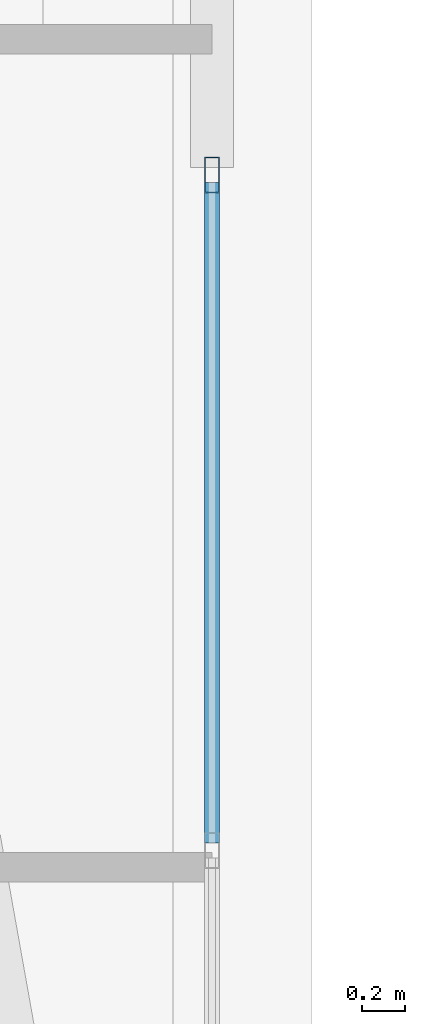
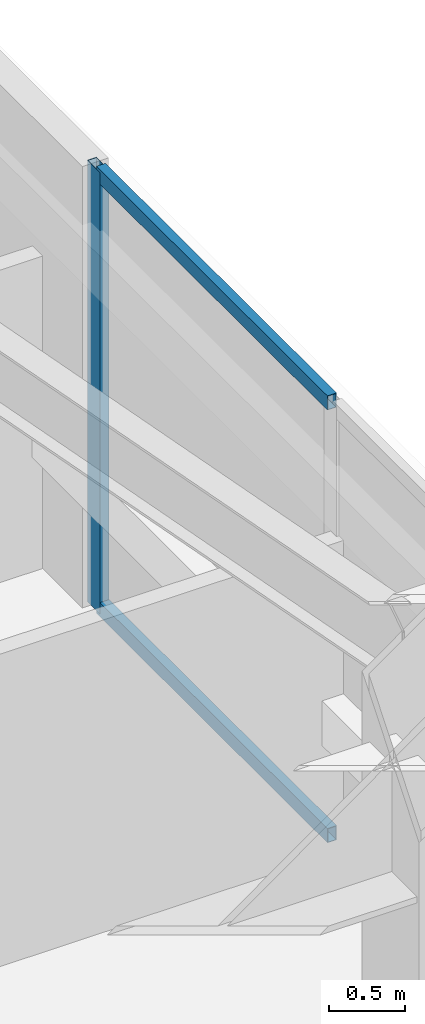
# One storey, part 12 of 40: 3 members, 1 element without a shape of its own.
"""IFC4 building model written with IfcOpenShell, lengths in metres."""

import ifcopenshell
import ifcopenshell.guid

model = None  # the IFC model being written
_history = None  # IfcOwnerHistory: only IFC2X3 demands one
_inside = {}  # id of a spatial element -> (the spatial element, [elements in it])
_under = {}  # id of a project, library or spatial element -> (it, [spatial elements below it])
_declared = {}  # id of a project -> (the project, [libraries it declares])
_typed = {}  # id of a type object -> (the type object, [elements of that type])
_made_of = {}  # id of a material, layer set ... -> (it, [elements and type objects made of it])


def new_model(schema):
    """Start an empty IFC model of exactly this schema.

    Asked for "IFC4X3", IfcOpenShell would pick the latest addendum, in which some entities
    have other attributes; the version numbers below select the first issue.
    IFC2X3 requires an IfcOwnerHistory on every rooted entity: one is made here for all.
    """
    global model, _history
    if schema == "IFC4X3":
        model = ifcopenshell.file(schema_version=(4, 3, 0, 0))
    else:
        model = ifcopenshell.file(schema=schema)
    _inside.clear()
    _under.clear()
    _declared.clear()
    _typed.clear()
    _made_of.clear()
    _history = None
    if model.schema == "IFC2X3":
        org = make("IfcOrganization", Name="unknown")
        user = make(
            "IfcPersonAndOrganization",
            ThePerson=make("IfcPerson", FamilyName="unknown"),
            TheOrganization=org,
        )
        app = make(
            "IfcApplication",
            ApplicationDeveloper=org,
            Version="unknown",
            ApplicationFullName="unknown",
            ApplicationIdentifier="unknown",
        )
        _history = make(
            "IfcOwnerHistory",
            OwningUser=user,
            OwningApplication=app,
            ChangeAction="ADDED",
            CreationDate=0,
        )
    return model


def make(cls, **values):
    """One entity of the class cls with the attributes given. An attribute that is None is left unset."""
    return model.create_entity(
        cls, **{name: value for name, value in values.items() if value is not None}
    )


def rooted(cls, **values):
    """An entity with a GlobalId (a new one), such as an element, a storey or a relation."""
    return make(cls, GlobalId=ifcopenshell.guid.new(), OwnerHistory=_history, **values)


def si_unit(unit_type, name, prefix=None):
    """IfcSIUnit, for example si_unit("LENGTHUNIT", "METRE", prefix="MILLI")."""
    return make("IfcSIUnit", UnitType=unit_type, Prefix=prefix, Name=name)


def assignment(units):
    """IfcUnitAssignment: the units of a project."""
    return None if units is None else make("IfcUnitAssignment", Units=units)


def point(xyz):
    """IfcCartesianPoint."""
    return None if xyz is None else make("IfcCartesianPoint", Coordinates=xyz)


def direction(xyz):
    """IfcDirection."""
    return None if xyz is None else make("IfcDirection", DirectionRatios=xyz)


def frame(location, z_axis=None, x_axis=None):
    """IfcAxis2Placement3D, a coordinate frame: its origin and axes. An axis left out is left unset."""
    return make(
        "IfcAxis2Placement3D",
        Location=point(location),
        Axis=direction(z_axis),
        RefDirection=direction(x_axis),
    )


def frame_2d(location, x_axis=None):
    """IfcAxis2Placement2D, a coordinate frame in the plane: its origin and x axis."""
    return make(
        "IfcAxis2Placement2D", Location=point(location), RefDirection=direction(x_axis)
    )


def origin():
    """The frame at (0, 0, 0) with its axes left unset."""
    return frame((0.0, 0.0, 0.0))


def origin_2d():
    """The frame at (0, 0) in the plane with its x axis left unset."""
    return frame_2d((0.0, 0.0))


def place(relative_to, where):
    """IfcLocalPlacement: puts the frame where relative to a parent placement (None: the world)."""
    return make(
        "IfcLocalPlacement", PlacementRelTo=relative_to, RelativePlacement=where
    )


def context(
    kind, dimensions, precision=None, world=None, true_north=None, identifier=None
):
    """IfcGeometricRepresentationContext, for example the 3D "Model" context."""
    return make(
        "IfcGeometricRepresentationContext",
        ContextIdentifier=identifier,
        ContextType=kind,
        CoordinateSpaceDimension=dimensions,
        Precision=precision,
        WorldCoordinateSystem=world,
        TrueNorth=true_north,
    )


def subcontext(parent, identifier, kind, view, scale=None):
    """IfcGeometricRepresentationSubContext, for example "Body" below "Model"."""
    return make(
        "IfcGeometricRepresentationSubContext",
        ContextIdentifier=identifier,
        ContextType=kind,
        ParentContext=parent,
        TargetScale=scale,
        TargetView=view,
    )


def project(units=None, contexts=None):
    """IfcProject with its units and contexts."""
    return rooted(
        "IfcProject",
        Name="project",
        RepresentationContexts=contexts,
        UnitsInContext=assignment(units),
    )


def spatial(cls, under=None, at=None, **own):
    """A site, building, storey or space (cls), placed at a placement, below another one or the project."""
    s = rooted(cls, ObjectPlacement=at, **own)
    if under is not None:
        _under.setdefault(under.id(), (under, []))[1].append(s)
    return s


def profile(cls, at=None, kind="AREA", **sizes):
    """A parametric profile (cls). Its sizes go by their IFC names, for example OverallWidth=200.0."""
    return make(cls, ProfileType=kind, Position=at, **sizes)


def hollow_rectangle(**sizes):
    """IfcRectangleHollowProfileDef."""
    return profile("IfcRectangleHollowProfileDef", **sizes)


def extrude(swept, where, along, depth):
    """IfcExtrudedAreaSolid: the profile swept, set in the frame where, extruded along a direction by depth."""
    return make(
        "IfcExtrudedAreaSolid",
        SweptArea=swept,
        Position=where,
        ExtrudedDirection=direction(along),
        Depth=depth,
    )


def shape(context_of_items, identifier, shape_type, items):
    """IfcShapeRepresentation: the items that make up one representation, for example the "Body"."""
    return make(
        "IfcShapeRepresentation",
        ContextOfItems=context_of_items,
        RepresentationIdentifier=identifier,
        RepresentationType=shape_type,
        Items=items,
    )


def material(Name=None, Category=None):
    """IfcMaterial."""
    return make("IfcMaterial", Name=Name, Category=Category)


def material_profile(
    of_material, cross_section, Name=None, Category=None, Priority=None
):
    """IfcMaterialProfile: a cross section and its material."""
    return make(
        "IfcMaterialProfile",
        Name=Name,
        Material=of_material,
        Profile=cross_section,
        Priority=Priority,
        Category=Category,
    )


def profile_set(profiles, Name=None, composite=None):
    """IfcMaterialProfileSet."""
    return make(
        "IfcMaterialProfileSet",
        Name=Name,
        MaterialProfiles=profiles,
        CompositeProfile=composite,
    )


def made_of(thing, what):
    """Note that an element or type object is made of a material, layer set ...; save() writes the relation."""
    if what is not None:
        _made_of.setdefault(what.id(), (what, []))[1].append(thing)
    return thing


def type_object(cls, material=None, **own):
    """A type object (cls), such as IfcWallType, which elements share."""
    return made_of(rooted(cls, **own), material)


def element(
    cls,
    number,
    at=None,
    inside=None,
    cuts=None,
    type_object=None,
    material=None,
    context=None,
    identifier="Body",
    shape_type=None,
    held_by="IfcProductDefinitionShape",
    body=None,
    shapes=None,
    **own,
):
    """One element of the class cls, such as IfcWall. Its Tag is "e" and its number.

    at: its placement. inside: the storey or other place that contains it. cuts: it is an
    opening in that element (IfcRelVoidsElement). A single representation is given by context,
    identifier, shape_type and body (its items); several are given by shapes. held_by: the class
    of the entity that holds the representations. save() writes the other relations.
    """
    e = rooted(cls, Tag="e%d" % number, ObjectPlacement=at, **own)
    if body is not None:
        shapes = [shape(context, identifier, shape_type, body)]
    if shapes is not None:
        e.Representation = make(held_by, Representations=shapes)
    if inside is not None:
        _inside.setdefault(inside.id(), (inside, []))[1].append(e)
    if cuts is not None:
        rooted(
            "IfcRelVoidsElement", RelatingBuildingElement=cuts, RelatedOpeningElement=e
        )
    if type_object is not None:
        _typed.setdefault(type_object.id(), (type_object, []))[1].append(e)
    return made_of(e, material)


def aggregate(whole, parts):
    """IfcRelAggregates: a whole, such as a stair, and the parts it consists of."""
    return rooted("IfcRelAggregates", RelatingObject=whole, RelatedObjects=parts)


def save(model, path):
    """Write the relations noted so far, then the file.

    IfcRelAggregates (storeys below a building ...), IfcRelContainedInSpatialStructure (elements
    in a storey), IfcRelDefinesByType, IfcRelAssociatesMaterial and IfcRelDeclares: one each for
    every whole, place, type object, material and project.
    """
    for whole, parts in _under.values():
        aggregate(whole, parts)
    for where, things in _inside.values():
        rooted(
            "IfcRelContainedInSpatialStructure",
            RelatedElements=things,
            RelatingStructure=where,
        )
    for kind, things in _typed.values():
        rooted("IfcRelDefinesByType", RelatedObjects=things, RelatingType=kind)
    for what, things in _made_of.values():
        rooted("IfcRelAssociatesMaterial", RelatedObjects=things, RelatingMaterial=what)
    for by, libraries in _declared.values():
        rooted("IfcRelDeclares", RelatingContext=by, RelatedDefinitions=libraries)
    model.write(path)


model = new_model("IFC4")

# Units and contexts
model_context = context("Model", 3, precision=1e-05, world=origin(), true_north=direction((0.0, 1.0)))
body_context = subcontext(model_context, "Body", "Model", "MODEL_VIEW")
ifc_project = project(units=[si_unit("LENGTHUNIT", "METRE"), si_unit("AREAUNIT", "SQUARE_METRE"), si_unit("VOLUMEUNIT", "CUBIC_METRE"), si_unit("PLANEANGLEUNIT", "RADIAN"), si_unit("MASSUNIT", "GRAM", prefix="KILO")], contexts=[model_context])

# Site, building, storey
site_placement = place(None, origin())
site = spatial("IfcSite", under=ifc_project, at=site_placement, CompositionType="ELEMENT")
building_placement = place(site_placement, origin())
building = spatial("IfcBuilding", under=site, at=building_placement, Name="Tashvorn Skyway Center", CompositionType="ELEMENT")
storey_placement = place(building_placement, frame((0.0, 0.0, 229.050048828125)))
storey = spatial("IfcBuildingStorey", under=building, at=storey_placement, Name="L62", CompositionType="ELEMENT", Elevation=229.050048828125)

# Curtain wall, members
ifc_material = material(Name="Thermally broken bronze-anodized aluminium 6063-T6", Category="aluminium")
curtain_wall_type = type_object("IfcCurtainWallType", Name="CW-CW-Z5", PredefinedType="NOTDEFINED", material=ifc_material)
curtain_wall_placement = place(storey_placement, origin())
curtain_wall = element("IfcCurtainWall", 1, at=curtain_wall_placement, inside=storey, type_object=curtain_wall_type, Name="Tower 1 L62 East Unitised Curtain Wall Glazing Group 1", PredefinedType="NOTDEFINED")
ifc_material_profile_1 = material_profile(ifc_material, hollow_rectangle(XDim=0.070068359375, YDim=0.1650390625, WallThickness=0.00390625, at=origin_2d()), Name="ALU-MULL-70x165")
ifc_profile_set_1 = profile_set([ifc_material_profile_1], Name="Thermally broken bronze-anodized aluminium 6063-T6")
member_type_1 = type_object("IfcMemberType", Name="CWM-CW-Z5", PredefinedType="MULLION", material=ifc_profile_set_1)
member_1_placement = place(storey_placement, frame((58.280029296875, 42.993896484375, 0.0), z_axis=(0.0, 0.0, 1.0), x_axis=(1.0, 0.0, 0.0)))
member_1 = element("IfcMember", 2, at=member_1_placement, type_object=member_type_1, Name="CW-Z5 mullion 1", PredefinedType="MULLION", context=body_context, shape_type="SweptSolid", body=[
    extrude(hollow_rectangle(XDim=0.070068359375, YDim=0.1650390625, WallThickness=0.00390625, at=origin_2d()), origin(), (0.0, 0.0, 1.0), 3.550048828125),
])
ifc_material_profile_2 = material_profile(ifc_material, hollow_rectangle(XDim=0.070068359375, YDim=0.114990234375, WallThickness=0.00390625, at=origin_2d()), Name="ALU-TRAN-70x115")
ifc_profile_set_2 = profile_set([ifc_material_profile_2], Name="Thermally broken bronze-anodized aluminium 6063-T6")
member_type_2 = type_object("IfcMemberType", Name="CWT-CW-Z5", PredefinedType="USERDEFINED", material=ifc_profile_set_2)
member_2_placement = place(storey_placement, frame((58.280029296875, 42.958984375, 0.034912109375), z_axis=(0.0, -1.0, 0.0), x_axis=(1.0, 0.0, 0.0)))
member_2 = element("IfcMember", 3, at=member_2_placement, type_object=member_type_2, Name="CW-Z5 transom 1.1", ObjectType="TRANSOM", PredefinedType="USERDEFINED", context=body_context, shape_type="SweptSolid", body=[
    extrude(hollow_rectangle(XDim=0.070068359375, YDim=0.114990234375, WallThickness=0.00390625, at=origin_2d()), origin(), (0.0, 0.0, 1.0), 3.046142578125),
])
member_3_placement = place(storey_placement, frame((58.280029296875, 42.958984375, 3.514892578125), z_axis=(0.0, -1.0, 0.0), x_axis=(1.0, 0.0, 0.0)))
member_3 = element("IfcMember", 4, at=member_3_placement, type_object=member_type_2, Name="CW-Z5 transom 1.2", ObjectType="TRANSOM", PredefinedType="USERDEFINED", context=body_context, shape_type="SweptSolid", body=[
    extrude(hollow_rectangle(XDim=0.070068359375, YDim=0.114990234375, WallThickness=0.00390625, at=origin_2d()), origin(), (0.0, 0.0, 1.0), 3.046142578125),
])
aggregate(curtain_wall, [member_1, member_2, member_3])

save(model, "model.ifc")
